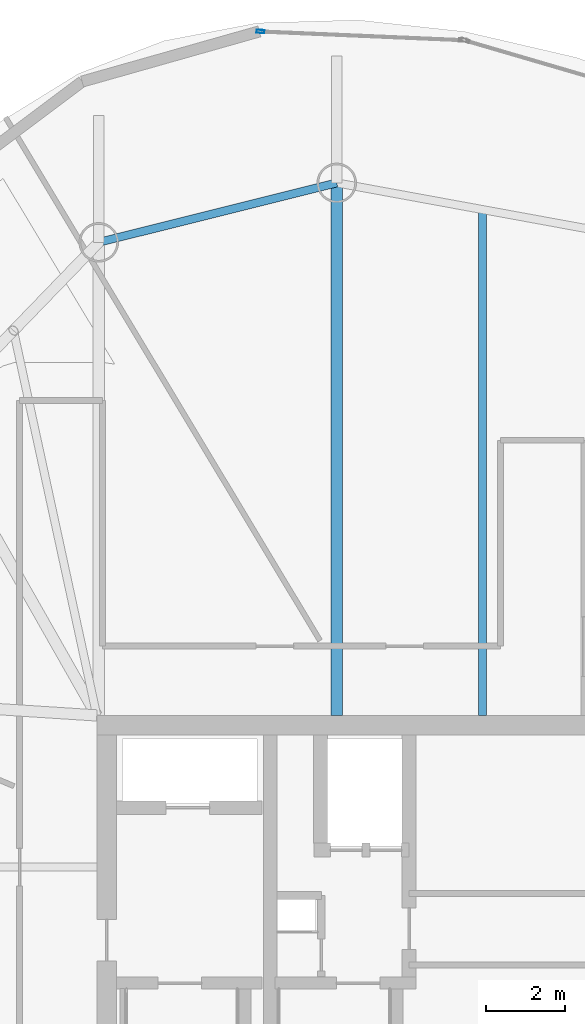
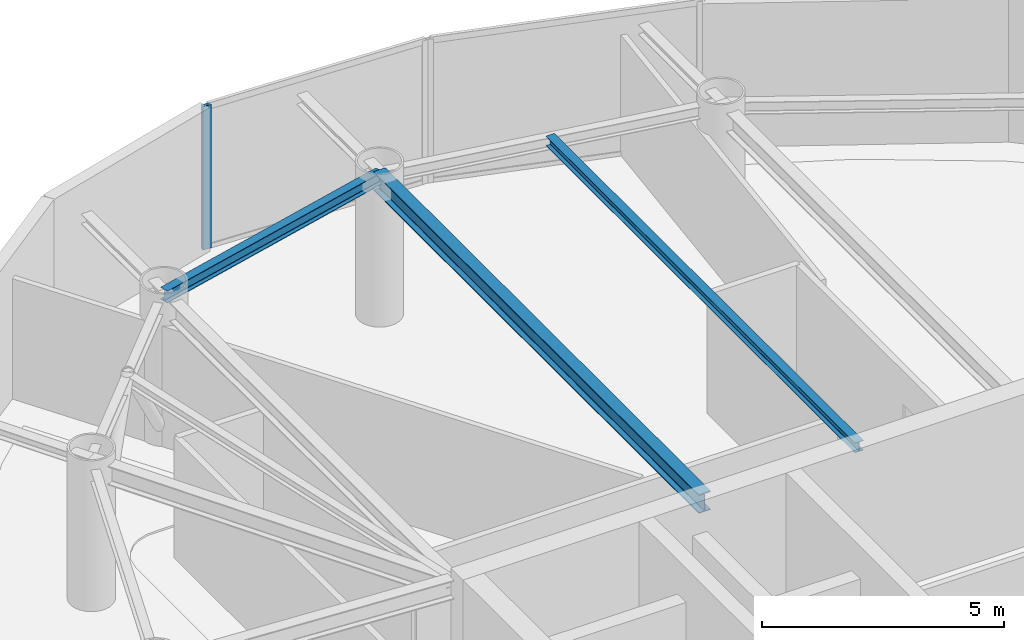
# One storey, part 9 of 18: 3 beams, 1 member, 1 element without a shape of its own.
"""IFC4 building model written with IfcOpenShell, lengths in metres."""

from ifc_helpers import new_model, si_unit, direction, frame, origin, origin_2d, place, context, subcontext, project, spatial, hollow_rectangle, i_section, extrude, material, layer, layer_set, material_profile, profile_set, type_object, element, aggregate, save


model = new_model("IFC4")

# Units and contexts
model_context = context("Model", 3, precision=1e-05, world=origin(), true_north=direction((0.0, 1.0)))
body_context = subcontext(model_context, "Body", "Model", "MODEL_VIEW")
ifc_project = project(units=[si_unit("LENGTHUNIT", "METRE"), si_unit("AREAUNIT", "SQUARE_METRE"), si_unit("VOLUMEUNIT", "CUBIC_METRE"), si_unit("PLANEANGLEUNIT", "RADIAN"), si_unit("MASSUNIT", "GRAM", prefix="KILO")], contexts=[model_context])

# Site, building, storey
site_placement = place(None, origin())
site = spatial("IfcSite", under=ifc_project, at=site_placement, CompositionType="ELEMENT")
building_placement = place(site_placement, origin())
building = spatial("IfcBuilding", under=site, at=building_placement, Name="Bramvorn Convention Spire", CompositionType="ELEMENT")
storey_placement = place(building_placement, frame((0.0, 0.0, 288.25)))
storey = spatial("IfcBuildingStorey", under=building, at=storey_placement, Name="L73", CompositionType="ELEMENT", Elevation=288.25)

# Beams
ifc_material_1 = material(Name="Steel CSA G40.21 Grade 350 (350W)", Category="steel")
ifc_material_profile_1 = material_profile(ifc_material_1, i_section(OverallWidth=0.201904296875, OverallDepth=0.2470703125, WebThickness=0.00732421875, FlangeThickness=0.010986328125, FilletRadius=0.011962890625, at=origin_2d()))
ifc_profile_set_1 = profile_set([ifc_material_profile_1], Name="Steel CSA G40.21 Grade 350 (350W) - W250X49")
beam_type_1 = type_object("IfcBeamType", Name="BM-W250X49", PredefinedType="JOIST", material=ifc_profile_set_1)
beam_1_placement = place(storey_placement, frame((36.498046875, 33.449951171875, 3.50146484375), z_axis=(0.0, 1.0, 0.0), x_axis=(-1.0, 0.0, 0.0)))
element("IfcBeam", 1, at=beam_1_placement, inside=storey, type_object=beam_type_1, Name="L73 composite floor joist 07", PredefinedType="JOIST", context=body_context, shape_type="SweptSolid", body=[
    extrude(i_section(OverallWidth=0.201904296875, OverallDepth=0.2470703125, WebThickness=0.00732421875, FlangeThickness=0.010986328125, FilletRadius=0.011962890625, at=origin_2d()), origin(), (0.0, 0.0, 1.0), 12.77587890625),
])
ifc_material_profile_2 = material_profile(ifc_material_1, i_section(OverallWidth=0.202880859375, OverallDepth=0.302978515625, WebThickness=0.007568359375, FlangeThickness=0.01318359375, FilletRadius=0.013916015625, at=origin_2d()))
ifc_profile_set_2 = profile_set([ifc_material_profile_2], Name="Steel CSA G40.21 Grade 350 (350W) - W310X60")
beam_type_2 = type_object("IfcBeamType", Name="BM-W310X60", PredefinedType="JOIST", material=ifc_profile_set_2)
beam_2_placement = place(storey_placement, frame((32.8115234375, 46.90087890625, 3.473388671875), z_axis=(-0.970177255997, -0.24239655927, 0.0), x_axis=(0.24239655927, -0.970177255997, 0.0)))
element("IfcBeam", 2, at=beam_2_placement, inside=storey, type_object=beam_type_2, Name="L73 mega-column ring beam 08", PredefinedType="JOIST", context=body_context, shape_type="SweptSolid", body=[
    extrude(i_section(OverallWidth=0.202880859375, OverallDepth=0.302978515625, WebThickness=0.007568359375, FlangeThickness=0.01318359375, FilletRadius=0.013916015625, at=origin_2d()), origin(), (0.0, 0.0, 1.0), 6.1962890625),
])
ifc_material_profile_3 = material_profile(ifc_material_1, i_section(OverallWidth=0.283935546875, OverallDepth=0.47607421875, WebThickness=0.014892578125, FlangeThickness=0.02392578125, FilletRadius=0.01806640625, at=origin_2d()))
ifc_profile_set_3 = profile_set([ifc_material_profile_3], Name="Steel CSA G40.21 Grade 350 (350W) - W460X158")
beam_type_3 = type_object("IfcBeamType", Name="BM-W460X158", PredefinedType="SPANDREL", material=ifc_profile_set_3)
beam_3_placement = place(storey_placement, frame((32.8115234375, 33.449951171875, 3.386962890625), z_axis=(0.0, 1.0, 0.0), x_axis=(-1.0, 0.0, 0.0)))
element("IfcBeam", 3, at=beam_3_placement, inside=storey, type_object=beam_type_3, Name="L73 radial floor girder MC08", PredefinedType="SPANDREL", context=body_context, shape_type="SweptSolid", body=[
    extrude(i_section(OverallWidth=0.283935546875, OverallDepth=0.47607421875, WebThickness=0.014892578125, FlangeThickness=0.02392578125, FilletRadius=0.01806640625, at=origin_2d()), origin(), (0.0, 0.0, 1.0), 13.450927734375),
])

# Curtain wall, member
ifc_material_2 = material(Name="Anodised Bronze Unitised Curtain Wall", Category="aluminium")
ifc_layer = layer(ifc_material_2, 0.179931640625)
ifc_layer_set = layer_set([ifc_layer], Name="Anodised Bronze Unitised Curtain Wall - CW-OFF-FRIT")
curtain_wall_type = type_object("IfcCurtainWallType", Name="CW-OFF-FRIT", PredefinedType="USERDEFINED", material=ifc_layer_set)
curtain_wall_placement = place(storey_placement, origin())
curtain_wall = element("IfcCurtainWall", 4, at=curtain_wall_placement, inside=storey, type_object=curtain_wall_type, Name="L73 fritted glass curtain wall 11", ObjectType="UNITISED CURTAIN WALL", PredefinedType="USERDEFINED")
ifc_material_3 = material(Name="Anodised Bronze Aluminium 6063-T6", Category="aluminium")
ifc_material_profile_4 = material_profile(ifc_material_3, hollow_rectangle(XDim=0.080078125, YDim=0.199951171875, WallThickness=0.00390625, InnerFilletRadius=0.0009765625, OuterFilletRadius=0.00390625, at=origin_2d()))
ifc_profile_set_4 = profile_set([ifc_material_profile_4], Name="Anodised Bronze Aluminium 6063-T6 - CWM80X200")
member_type = type_object("IfcMemberType", Name="CW-MUL-180", PredefinedType="MULLION", material=ifc_profile_set_4)
member_placement = place(storey_placement, frame((30.884765625, 50.72509765625, 0.0), z_axis=(0.0, 0.0, 1.0), x_axis=(0.042843993774, 0.99908177453, 0.0)))
member = element("IfcMember", 5, at=member_placement, type_object=member_type, Name="CW3 mullion 1", PredefinedType="MULLION", context=body_context, shape_type="SweptSolid", body=[
    extrude(hollow_rectangle(XDim=0.080078125, YDim=0.199951171875, WallThickness=0.00390625, InnerFilletRadius=0.0009765625, OuterFilletRadius=0.00390625, at=origin_2d()), origin(), (0.0, 0.0, 1.0), 3.625),
])
aggregate(curtain_wall, [member])

save(model, "model.ifc")
